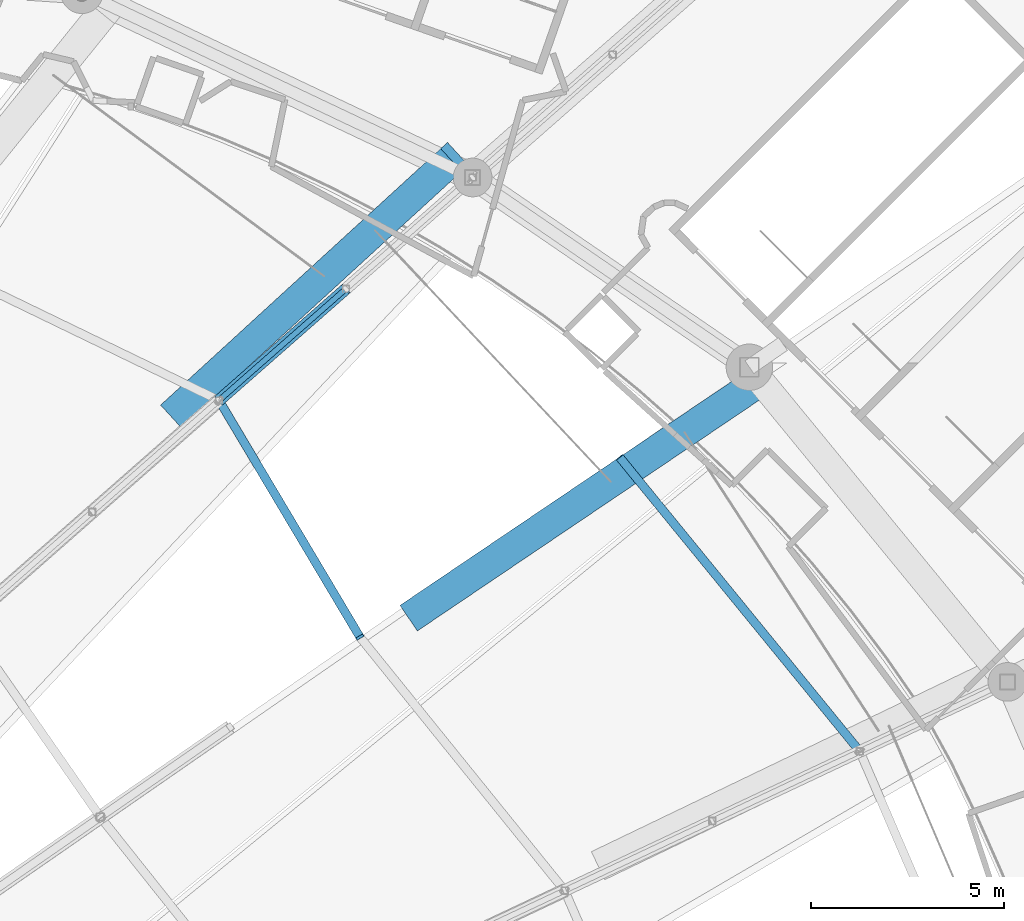
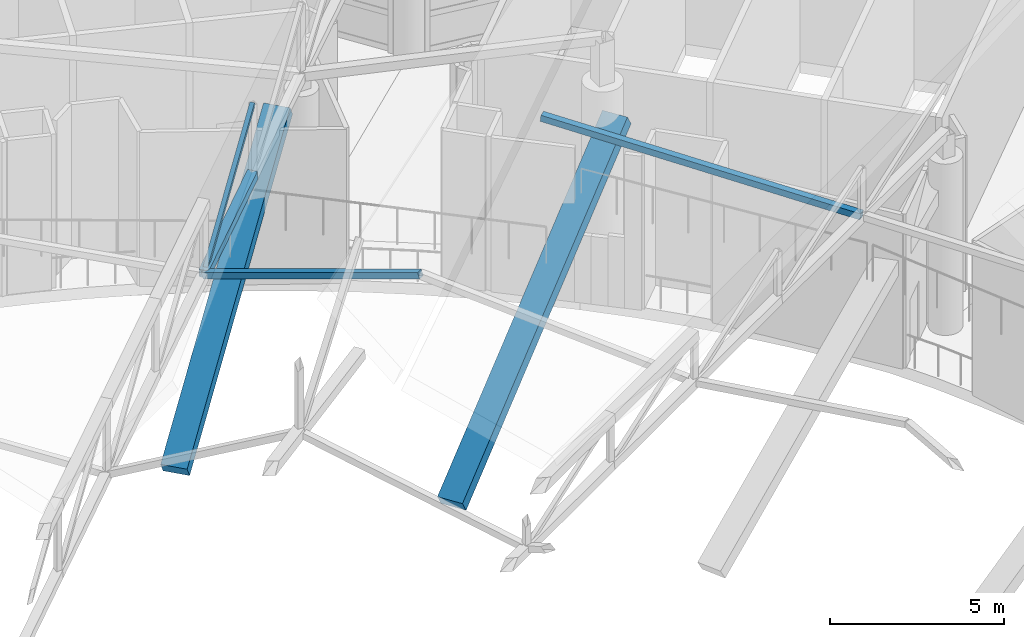
# One storey, part 195 of 344: 4 members, 2 beams.
"""IFC4 building model written with IfcOpenShell, lengths in metres."""

from ifc_helpers import new_model, si_unit, direction, frame, origin, origin_2d, place, context, subcontext, project, spatial, rectangle, hollow_rectangle, extrude, material, material_profile, profile_set, type_object, element, save


model = new_model("IFC4")

# Units and contexts
model_context = context("Model", 3, precision=1e-05, world=origin(), true_north=direction((0.0, 1.0)))
body_context = subcontext(model_context, "Body", "Model", "MODEL_VIEW")
ifc_project = project(units=[si_unit("LENGTHUNIT", "METRE"), si_unit("AREAUNIT", "SQUARE_METRE"), si_unit("VOLUMEUNIT", "CUBIC_METRE"), si_unit("PLANEANGLEUNIT", "RADIAN"), si_unit("MASSUNIT", "GRAM", prefix="KILO")], contexts=[model_context])

# Site, building, storey
site_placement = place(None, origin())
site = spatial("IfcSite", under=ifc_project, at=site_placement, CompositionType="ELEMENT")
building_placement = place(site_placement, origin())
building = spatial("IfcBuilding", under=site, at=building_placement, Name="Meseta Stadium", CompositionType="ELEMENT")
storey_placement = place(building_placement, frame((0.0, 0.0, 24.0)))
storey = spatial("IfcBuildingStorey", under=building, at=storey_placement, Name="L04", CompositionType="ELEMENT", Elevation=24.0)

# Beams
ifc_material_1 = material(Name="Concrete C40/50", Category="concrete")
ifc_material_profile_1 = material_profile(ifc_material_1, rectangle(XDim=0.800048828125, YDim=0.449951171875, at=origin_2d()), Name="RC 800x450")
ifc_profile_set_1 = profile_set([ifc_material_profile_1], Name="Concrete C40/50")
beam_type = type_object("IfcBeamType", Name="RC raker upper rear 800x450", PredefinedType="USERDEFINED", material=ifc_profile_set_1)
beam_1_placement = place(storey_placement, frame((63.068115234375, 73.469970703125, -1.89404296875), z_axis=(0.703356871616, 0.474805643878, 0.529007288883), x_axis=(-0.5595050383, 0.82882694944, 0.0)))
element("IfcBeam", 1, at=beam_1_placement, inside=storey, type_object=beam_type, Name="Raker upper rear frame 12 upper tier", ObjectType="RAKER", PredefinedType="USERDEFINED", context=body_context, shape_type="SweptSolid", body=[
    extrude(rectangle(XDim=0.800048828125, YDim=0.449951171875, at=origin_2d()), origin(), (0.0, 0.0, 1.0), 12.74267578125),
])
beam_2_placement = place(storey_placement, frame((56.9150390625, 78.69580078125, -1.73486328125), z_axis=(0.62597534425, 0.573017454419, 0.528966790378), x_axis=(-0.675216522578, 0.737619581924, 0.0)))
element("IfcBeam", 2, at=beam_2_placement, inside=storey, type_object=beam_type, Name="Raker upper rear frame 13 upper tier", ObjectType="RAKER", PredefinedType="USERDEFINED", context=body_context, shape_type="SweptSolid", body=[
    extrude(rectangle(XDim=0.800048828125, YDim=0.449951171875, at=origin_2d()), origin(), (0.0, 0.0, 1.0), 11.566650390625),
])

# Members
ifc_material_2 = material(Name="Steel S355", Category="steel")
ifc_material_profile_2 = material_profile(ifc_material_2, hollow_rectangle(XDim=0.139892578125, YDim=0.139892578125, WallThickness=0.0048828125, at=origin_2d()), Name="SHS 140x140x5")
ifc_profile_set_2 = profile_set([ifc_material_profile_2], Name="Steel S355")
member_type_1 = type_object("IfcMemberType", Name="SHS 140x140x5 diagonal", PredefinedType="BRACE", material=ifc_profile_set_2)
member_1_placement = place(storey_placement, frame((58.068115234375, 79.032470703125, 4.52734375), z_axis=(0.612494237842, 0.538299524981, 0.578864776969), x_axis=(-0.660147138656, 0.751136309416, 0.0)))
element("IfcMember", 3, at=member_1_placement, inside=storey, type_object=member_type_1, Name="ROOF TRUSS RT-13 diagonal", PredefinedType="BRACE", context=body_context, shape_type="SweptSolid", body=[
    extrude(hollow_rectangle(XDim=0.139892578125, YDim=0.139892578125, WallThickness=0.0048828125, at=origin_2d()), origin(), (0.0, 0.0, 1.0), 5.350341796875),
])
ifc_material_3 = material(Name="Steel S355", Category="steel")
ifc_material_profile_3 = material_profile(ifc_material_3, hollow_rectangle(XDim=0.219970703125, YDim=0.219970703125, WallThickness=0.008056640625, at=origin_2d()), Name="SHS 220x220x8")
ifc_profile_set_3 = profile_set([ifc_material_profile_3], Name="Steel S355")
member_type_2 = type_object("IfcMemberType", Name="SHS 220x220x8 strut", PredefinedType="STRUT", material=ifc_profile_set_3)
member_2_placement = place(storey_placement, frame((74.630126953125, 69.958740234375, 6.298583984375), z_axis=(-0.62908146155, 0.770424461737, 0.103453678002), x_axis=(-0.774580650247, -0.632475150708, 0.0)))
element("IfcMember", 4, at=member_2_placement, inside=storey, type_object=member_type_2, Name="ROOF TRUSS STRUT RT-11/12", PredefinedType="STRUT", context=body_context, shape_type="SweptSolid", body=[
    extrude(hollow_rectangle(XDim=0.219970703125, YDim=0.219970703125, WallThickness=0.008056640625, at=origin_2d()), origin(), (0.0, 0.0, 1.0), 9.87158203125),
])
member_3_placement = place(storey_placement, frame((61.710205078125, 72.913818359375, 6.962158203125), z_axis=(-0.483975482906, 0.81307102511, -0.323547894558), x_axis=(-0.859290731623, -0.511487476432, 0.0)))
element("IfcMember", 5, at=member_3_placement, inside=storey, type_object=member_type_2, Name="ROOF TRUSS STRUT RT-12/13", PredefinedType="STRUT", context=body_context, shape_type="SweptSolid", body=[
    extrude(hollow_rectangle(XDim=0.219970703125, YDim=0.219970703125, WallThickness=0.008056640625, at=origin_2d()), origin(), (0.0, 0.0, 1.0), 7.525390625),
])
ifc_material_4 = material(Name="Steel S355", Category="steel")
ifc_material_profile_4 = material_profile(ifc_material_4, hollow_rectangle(XDim=0.300048828125, YDim=0.300048828125, WallThickness=0.010009765625, at=origin_2d()), Name="SHS 300x300x10")
ifc_profile_set_4 = profile_set([ifc_material_profile_4], Name="Steel S355")
member_type_3 = type_object("IfcMemberType", Name="SHS 300x300x10 bottom chord", PredefinedType="CHORD", material=ifc_profile_set_4)
member_4_placement = place(storey_placement, frame((58.068115234375, 79.032470703125, 4.52734375), z_axis=(0.744051221143, 0.653920305135, 0.137025599245), x_axis=(-0.660147138656, 0.751136309416, 0.0)))
element("IfcMember", 6, at=member_4_placement, inside=storey, type_object=member_type_3, Name="ROOF TRUSS RT-13 bottom chord", PredefinedType="CHORD", context=body_context, shape_type="SweptSolid", body=[
    extrude(hollow_rectangle(XDim=0.300048828125, YDim=0.300048828125, WallThickness=0.010009765625, at=origin_2d()), origin(), (0.0, 0.0, 1.0), 4.404296875),
])

save(model, "model.ifc")
